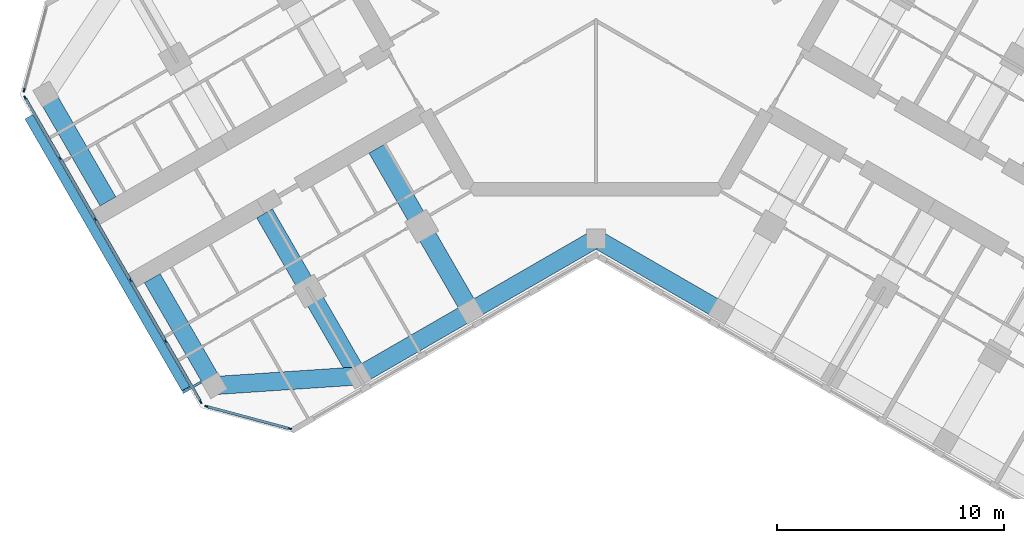
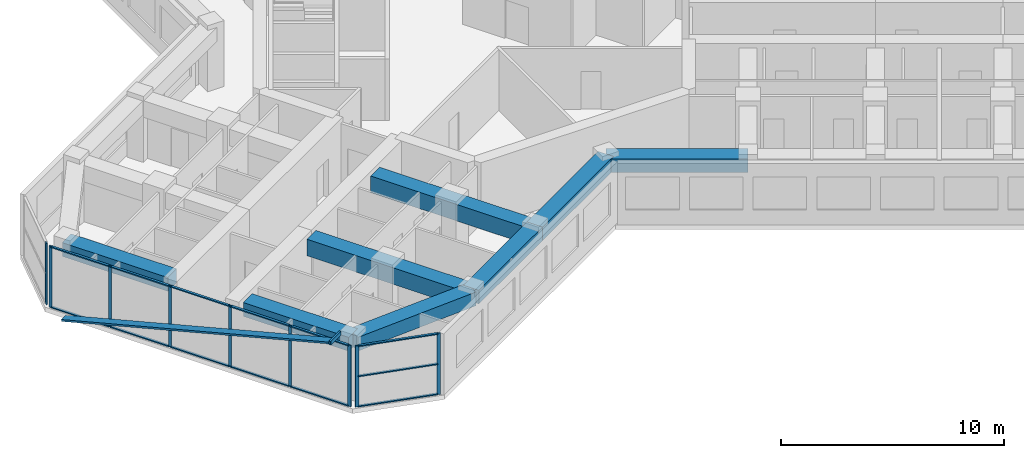
# One storey, part 2 of 16: 24 members, 8 beams, 3 elements without a shape of their own.
"""IFC4 building model written with IfcOpenShell, lengths in metres."""

from ifc_helpers import new_model, si_unit, direction, frame, origin, origin_2d, place, context, subcontext, project, spatial, rectangle, hollow_rectangle, extrude, material, material_profile, profile_set, type_object, element, aggregate, save


model = new_model("IFC4")

# Units and contexts
model_context = context("Model", 3, precision=1e-05, world=origin(), true_north=direction((0.0, 1.0)))
body_context = subcontext(model_context, "Body", "Model", "MODEL_VIEW")
ifc_project = project(units=[si_unit("LENGTHUNIT", "METRE"), si_unit("AREAUNIT", "SQUARE_METRE"), si_unit("VOLUMEUNIT", "CUBIC_METRE"), si_unit("PLANEANGLEUNIT", "RADIAN"), si_unit("MASSUNIT", "GRAM", prefix="KILO")], contexts=[model_context])

# Site, building, storey
site_placement = place(None, origin())
site = spatial("IfcSite", under=ifc_project, at=site_placement, CompositionType="ELEMENT")
building_placement = place(site_placement, origin())
building = spatial("IfcBuilding", under=site, at=building_placement, Name="Kosmar Iwan School Tower", CompositionType="ELEMENT")
storey_placement = place(building_placement, frame((0.0, 0.0, 231.60009765625)))
storey = spatial("IfcBuildingStorey", under=building, at=storey_placement, Name="L58", CompositionType="ELEMENT", Elevation=231.60009765625)

# Members
ifc_material_1 = material(Name="Black anodised aluminium", Category="aluminium")
ifc_material_profile_1 = material_profile(ifc_material_1, rectangle(XDim=0.10009765625, YDim=0.39990234375, at=origin_2d()), Name="FIN 100x400")
ifc_profile_set_1 = profile_set([ifc_material_profile_1], Name="Black anodised aluminium")
member_type_1 = type_object("IfcMemberType", Name="Diagonal fin 100x400", PredefinedType="USERDEFINED", material=ifc_profile_set_1)
member_1_placement = place(storey_placement, frame((-24.926513671875, -6.426025390625, -0.150146484375), z_axis=(0.483800388566, -0.837965217343, 0.2524905514), x_axis=(-0.126245460598, 0.218663124976, 0.96759935999)))
element("IfcMember", 1, at=member_1_placement, inside=storey, type_object=member_type_1, Name="Diagonal fin L58-F11", ObjectType="FIN", PredefinedType="USERDEFINED", context=body_context, shape_type="SweptSolid", body=[
    extrude(rectangle(XDim=0.10009765625, YDim=0.39990234375, at=origin_2d()), origin(), (0.0, 0.0, 1.0), 14.25830078125),
])
ifc_material_2 = material(Name="Steel S355", Category="steel")
ifc_material_profile_2 = material_profile(ifc_material_2, hollow_rectangle(XDim=0.10009765625, YDim=0.199951171875, WallThickness=0.008056640625, at=origin_2d()), Name="RHS 200x100x8")
ifc_profile_set_2 = profile_set([ifc_material_profile_2], Name="Steel S355")
member_type_2 = type_object("IfcMemberType", Name="Fin bracket RHS 200x100", PredefinedType="USERDEFINED", material=ifc_profile_set_2)
member_2_placement = place(storey_placement, frame((-17.362060546875, -18.078125, 3.474853515625), z_axis=(-0.866058118026, -0.49994333299, 0.0), x_axis=(0.49994333299, -0.866058118026, 0.0)))
element("IfcMember", 2, at=member_2_placement, inside=storey, type_object=member_type_2, Name="Fin bracket L59", ObjectType="FIN BRACKET", PredefinedType="USERDEFINED", context=body_context, shape_type="SweptSolid", body=[
    extrude(hollow_rectangle(XDim=0.10009765625, YDim=0.199951171875, WallThickness=0.008056640625, at=origin_2d()), origin(), (0.0, 0.0, 1.0), 0.9248046875),
])

# Curtain wall, member
ifc_material_3 = material(Name="Dark glass in black aluminium frame", Category="aluminium")
curtain_wall_type_1 = type_object("IfcCurtainWallType", Name="Chamfer curtain wall dark glass", PredefinedType="USERDEFINED", material=ifc_material_3)
curtain_wall_1_placement = place(storey_placement, origin())
curtain_wall_1 = element("IfcCurtainWall", 3, at=curtain_wall_1_placement, inside=storey, type_object=curtain_wall_type_1, Name="Curtain wall L58-F10", ObjectType="FACETED CURTAIN WALL", PredefinedType="USERDEFINED")
ifc_material_4 = material(Name="Black anodised aluminium", Category="aluminium")
ifc_material_profile_3 = material_profile(ifc_material_4, rectangle(XDim=0.06005859375, YDim=0.159912109375, at=origin_2d()), Name="MULLION 60x160")
ifc_profile_set_3 = profile_set([ifc_material_profile_3], Name="Black anodised aluminium")
member_type_3 = type_object("IfcMemberType", Name="Mullion 60x160", PredefinedType="MULLION", material=ifc_profile_set_3)
member_3_placement = place(storey_placement, frame((-25.141845703125, -5.24853515625, 0.0), z_axis=(0.0, 0.0, 1.0), x_axis=(0.965925875495, -0.258818861462, 0.0)))
member_3 = element("IfcMember", 4, at=member_3_placement, type_object=member_type_3, Name="CW2 mullion 2", PredefinedType="MULLION", context=body_context, shape_type="SweptSolid", body=[
    extrude(rectangle(XDim=0.06005859375, YDim=0.159912109375, at=origin_2d()), origin(), (0.0, 0.0, 1.0), 3.349853515625),
])
aggregate(curtain_wall_1, [member_3])

# Curtain wall, members
ifc_material_5 = material(Name="Dark glass in black aluminium frame", Category="aluminium")
curtain_wall_type_2 = type_object("IfcCurtainWallType", Name="Tower curtain wall dark glass", PredefinedType="USERDEFINED", material=ifc_material_5)
curtain_wall_2_placement = place(storey_placement, origin())
curtain_wall_2 = element("IfcCurtainWall", 5, at=curtain_wall_2_placement, inside=storey, type_object=curtain_wall_type_2, Name="Curtain wall L58-F11", ObjectType="UNITISED CURTAIN WALL", PredefinedType="USERDEFINED")
member_4_placement = place(storey_placement, frame((-25.098388671875, -5.578369140625, 0.0), z_axis=(0.0, 0.0, 1.0), x_axis=(0.866025405329, 0.499999997325, 0.0)))
member_4 = element("IfcMember", 6, at=member_4_placement, type_object=member_type_3, Name="CW1 mullion 1", PredefinedType="MULLION", context=body_context, shape_type="SweptSolid", body=[
    extrude(rectangle(XDim=0.06005859375, YDim=0.159912109375, at=origin_2d()), origin(), (0.0, 0.0, 1.0), 3.349853515625),
])
member_5_placement = place(storey_placement, frame((-23.563720703125, -8.236328125, 0.0), z_axis=(0.0, 0.0, 1.0), x_axis=(0.866025405329, 0.499999997325, 0.0)))
member_5 = element("IfcMember", 7, at=member_5_placement, type_object=member_type_3, Name="CW1 mullion 2", PredefinedType="MULLION", context=body_context, shape_type="SweptSolid", body=[
    extrude(rectangle(XDim=0.06005859375, YDim=0.159912109375, at=origin_2d()), origin(), (0.0, 0.0, 1.0), 3.349853515625),
])
member_6_placement = place(storey_placement, frame((-22.01416015625, -10.92041015625, 0.0), z_axis=(0.0, 0.0, 1.0), x_axis=(0.866025405329, 0.499999997325, 0.0)))
member_6 = element("IfcMember", 8, at=member_6_placement, type_object=member_type_3, Name="CW1 mullion 3", PredefinedType="MULLION", context=body_context, shape_type="SweptSolid", body=[
    extrude(rectangle(XDim=0.06005859375, YDim=0.159912109375, at=origin_2d()), origin(), (0.0, 0.0, 1.0), 3.349853515625),
])
member_7_placement = place(storey_placement, frame((-20.46435546875, -13.6044921875, 0.0), z_axis=(0.0, 0.0, 1.0), x_axis=(0.866025405329, 0.499999997325, 0.0)))
member_7 = element("IfcMember", 9, at=member_7_placement, type_object=member_type_3, Name="CW1 mullion 4", PredefinedType="MULLION", context=body_context, shape_type="SweptSolid", body=[
    extrude(rectangle(XDim=0.06005859375, YDim=0.159912109375, at=origin_2d()), origin(), (0.0, 0.0, 1.0), 3.349853515625),
])
member_8_placement = place(storey_placement, frame((-18.914794921875, -16.28857421875, 0.0), z_axis=(0.0, 0.0, 1.0), x_axis=(0.866025405329, 0.499999997325, 0.0)))
member_8 = element("IfcMember", 10, at=member_8_placement, type_object=member_type_3, Name="CW1 mullion 5", PredefinedType="MULLION", context=body_context, shape_type="SweptSolid", body=[
    extrude(rectangle(XDim=0.06005859375, YDim=0.159912109375, at=origin_2d()), origin(), (0.0, 0.0, 1.0), 3.349853515625),
])
member_9_placement = place(storey_placement, frame((-17.380126953125, -18.94677734375, 0.0), z_axis=(0.0, 0.0, 1.0), x_axis=(0.866025405329, 0.499999997325, 0.0)))
member_9 = element("IfcMember", 11, at=member_9_placement, type_object=member_type_3, Name="CW1 mullion 6", PredefinedType="MULLION", context=body_context, shape_type="SweptSolid", body=[
    extrude(rectangle(XDim=0.06005859375, YDim=0.159912109375, at=origin_2d()), origin(), (0.0, 0.0, 1.0), 3.349853515625),
])

curtain_wall_3_placement = place(storey_placement, origin())
curtain_wall_3 = element("IfcCurtainWall", 12, at=curtain_wall_3_placement, inside=storey, type_object=curtain_wall_type_1, Name="Curtain wall L58-F12", ObjectType="FACETED CURTAIN WALL", PredefinedType="USERDEFINED")
member_10_placement = place(storey_placement, frame((-17.1162109375, -19.149169921875, 0.0), z_axis=(0.0, 0.0, 1.0), x_axis=(0.258818861462, 0.965925875495, 0.0)))
member_10 = element("IfcMember", 13, at=member_10_placement, type_object=member_type_3, Name="CW2 mullion 1", PredefinedType="MULLION", context=body_context, shape_type="SweptSolid", body=[
    extrude(rectangle(XDim=0.06005859375, YDim=0.159912109375, at=origin_2d()), origin(), (0.0, 0.0, 1.0), 3.349853515625),
])
member_11_placement = place(storey_placement, frame((-13.466064453125, -20.127197265625, 0.0), z_axis=(0.0, 0.0, 1.0), x_axis=(0.258818861462, 0.965925875495, 0.0)))
member_11 = element("IfcMember", 14, at=member_11_placement, type_object=member_type_3, Name="CW2 mullion 2", PredefinedType="MULLION", context=body_context, shape_type="SweptSolid", body=[
    extrude(rectangle(XDim=0.06005859375, YDim=0.159912109375, at=origin_2d()), origin(), (0.0, 0.0, 1.0), 3.349853515625),
])

# Beams
ifc_material_6 = material(Name="Concrete C50/60", Category="concrete")
ifc_material_profile_4 = material_profile(ifc_material_6, rectangle(XDim=0.800048828125, YDim=0.75, at=origin_2d()), Name="RC 800x750")
ifc_profile_set_4 = profile_set([ifc_material_profile_4], Name="Concrete C50/60")
beam_type_1 = type_object("IfcBeamType", Name="RC edge beam 800x750", PredefinedType="BEAM", material=ifc_profile_set_4)
beam_1_placement = place(storey_placement, frame((0.0, -11.77783203125, 2.974853515625), z_axis=(-0.866014293216, -0.500019243575, 0.0), x_axis=(0.500019243575, -0.866014293216, 0.0)))
element("IfcBeam", 15, at=beam_1_placement, inside=storey, type_object=beam_type_1, Name="Edge beam BL1", PredefinedType="BEAM", context=body_context, shape_type="SweptSolid", body=[
    extrude(rectangle(XDim=0.800048828125, YDim=0.75, at=origin_2d()), origin(), (0.0, 0.0, 1.0), 6.361083984375),
])
beam_2_placement = place(storey_placement, frame((-5.5087890625, -14.95849609375, 2.974853515625), z_axis=(-0.866033658841, -0.49998570155, 0.0), x_axis=(0.49998570155, -0.866033658841, 0.0)))
element("IfcBeam", 16, at=beam_2_placement, inside=storey, type_object=beam_type_1, Name="Edge beam BL2", PredefinedType="BEAM", context=body_context, shape_type="SweptSolid", body=[
    extrude(rectangle(XDim=0.800048828125, YDim=0.75, at=origin_2d()), origin(), (0.0, 0.0, 1.0), 5.699951171875),
])
beam_3_placement = place(storey_placement, frame((0.0, -11.77783203125, 2.974853515625), z_axis=(0.866014293216, -0.500019243575, 0.0), x_axis=(0.500019243575, 0.866014293216, 0.0)))
element("IfcBeam", 17, at=beam_3_placement, inside=storey, type_object=beam_type_1, Name="Edge beam CR1", PredefinedType="BEAM", context=body_context, shape_type="SweptSolid", body=[
    extrude(rectangle(XDim=0.800048828125, YDim=0.75, at=origin_2d()), origin(), (0.0, 0.0, 1.0), 6.361083984375),
])
ifc_material_7 = material(Name="Concrete C50/60", Category="concrete")
ifc_material_profile_5 = material_profile(ifc_material_7, rectangle(XDim=0.800048828125, YDim=0.75, at=origin_2d()), Name="RC 800x750")
ifc_profile_set_5 = profile_set([ifc_material_profile_5], Name="Concrete C50/60")
beam_type_2 = type_object("IfcBeamType", Name="RC tip beam 800x750", PredefinedType="BEAM", material=ifc_profile_set_5)
beam_4_placement = place(storey_placement, frame((-10.445068359375, -17.808349609375, 2.974853515625), z_axis=(-0.997755118724, -0.066968074933, 0.0), x_axis=(0.066968074933, -0.997755118724, 0.0)))
element("IfcBeam", 18, at=beam_4_placement, inside=storey, type_object=beam_type_2, Name="Tip beam BL", PredefinedType="BEAM", context=body_context, shape_type="SweptSolid", body=[
    extrude(rectangle(XDim=0.800048828125, YDim=0.75, at=origin_2d()), origin(), (0.0, 0.0, 1.0), 6.3505859375),
])
beam_5_placement = place(storey_placement, frame((-16.781494140625, -18.233642578125, 2.974853515625), z_axis=(-0.500002931134, 0.866023711487, 0.0), x_axis=(-0.866023711487, -0.500002931134, 0.0)))
element("IfcBeam", 19, at=beam_5_placement, inside=storey, type_object=beam_type_2, Name="Tip beam BL to corridor wall", PredefinedType="BEAM", context=body_context, shape_type="SweptSolid", body=[
    extrude(rectangle(XDim=0.800048828125, YDim=0.75, at=origin_2d()), origin(), (0.0, 0.0, 1.0), 5.4501953125),
])
beam_6_placement = place(storey_placement, frame((-24.181396484375, -5.41650390625, 2.974853515625), z_axis=(0.499988730927, -0.866031909889, 0.0), x_axis=(0.866031909889, 0.499988730927, 0.0)))
element("IfcBeam", 20, at=beam_6_placement, inside=storey, type_object=beam_type_2, Name="Tip beam BR to corridor wall", PredefinedType="BEAM", context=body_context, shape_type="SweptSolid", body=[
    extrude(rectangle(XDim=0.800048828125, YDim=0.75, at=origin_2d()), origin(), (0.0, 0.0, 1.0), 5.449951171875),
])
ifc_material_8 = material(Name="Concrete C50/60", Category="concrete")
ifc_material_profile_6 = material_profile(ifc_material_8, rectangle(XDim=0.800048828125, YDim=0.89990234375, at=origin_2d()), Name="RC 800x900")
ifc_profile_set_6 = profile_set([ifc_material_profile_6], Name="Concrete C50/60")
beam_type_3 = type_object("IfcBeamType", Name="RC transverse beam 800x900", PredefinedType="BEAM", material=ifc_profile_set_6)
beam_7_placement = place(storey_placement, frame((-5.5087890625, -14.95849609375, 2.89990234375), z_axis=(-0.499996545922, 0.866027397988, 0.0), x_axis=(-0.866027397988, -0.499996545922, 0.0)))
element("IfcBeam", 21, at=beam_7_placement, inside=storey, type_object=beam_type_3, Name="Transverse beam BL1", PredefinedType="BEAM", context=body_context, shape_type="SweptSolid", body=[
    extrude(rectangle(XDim=0.800048828125, YDim=0.89990234375, at=origin_2d()), origin(), (0.0, 0.0, 1.0), 8.25),
])
beam_8_placement = place(storey_placement, frame((-10.445068359375, -17.808349609375, 2.89990234375), z_axis=(-0.500009360108, 0.866019999656, 0.0), x_axis=(-0.866019999656, -0.500009360108, 0.0)))
element("IfcBeam", 22, at=beam_8_placement, inside=storey, type_object=beam_type_3, Name="Transverse beam BL2", PredefinedType="BEAM", context=body_context, shape_type="SweptSolid", body=[
    extrude(rectangle(XDim=0.800048828125, YDim=0.89990234375, at=origin_2d()), origin(), (0.0, 0.0, 1.0), 8.249755859375),
])

# Member
ifc_material_9 = material(Name="Black anodised aluminium", Category="aluminium")
ifc_material_profile_7 = material_profile(ifc_material_9, rectangle(XDim=0.1201171875, YDim=0.06005859375, at=origin_2d()), Name="TRANSOM 60x120")
ifc_profile_set_7 = profile_set([ifc_material_profile_7], Name="Black anodised aluminium")
member_type_4 = type_object("IfcMemberType", Name="Transom 60x120", PredefinedType="USERDEFINED", material=ifc_profile_set_7)
member_12_placement = place(storey_placement, frame((-25.08349609375, -5.604248046875, 0.02978515625), z_axis=(0.499986971506, -0.866032925658, 0.0), x_axis=(0.866032925658, 0.499986971506, 0.0)))
member_12 = element("IfcMember", 23, at=member_12_placement, type_object=member_type_4, Name="CW1 transom 1.1", ObjectType="TRANSOM", PredefinedType="USERDEFINED", context=body_context, shape_type="SweptSolid", body=[
    extrude(rectangle(XDim=0.1201171875, YDim=0.06005859375, at=origin_2d()), origin(), (0.0, 0.0, 1.0), 3.00927734375),
])

member_13_placement = place(storey_placement, frame((-25.08349609375, -5.604248046875, 3.31982421875), z_axis=(0.499986971506, -0.866032925658, 0.0), x_axis=(0.866032925658, 0.499986971506, 0.0)))
member_13 = element("IfcMember", 24, at=member_13_placement, type_object=member_type_4, Name="CW1 transom 1.2", ObjectType="TRANSOM", PredefinedType="USERDEFINED", context=body_context, shape_type="SweptSolid", body=[
    extrude(rectangle(XDim=0.1201171875, YDim=0.06005859375, at=origin_2d()), origin(), (0.0, 0.0, 1.0), 3.00927734375),
])

member_14_placement = place(storey_placement, frame((-23.548828125, -8.262451171875, 0.02978515625), z_axis=(0.500035348339, -0.866004994449, 0.0), x_axis=(0.866004994449, 0.500035348339, 0.0)))
member_14 = element("IfcMember", 25, at=member_14_placement, type_object=member_type_4, Name="CW1 transom 2.1", ObjectType="TRANSOM", PredefinedType="USERDEFINED", context=body_context, shape_type="SweptSolid", body=[
    extrude(rectangle(XDim=0.1201171875, YDim=0.06005859375, at=origin_2d()), origin(), (0.0, 0.0, 1.0), 3.039306640625),
])

member_15_placement = place(storey_placement, frame((-23.548828125, -8.262451171875, 3.31982421875), z_axis=(0.500035348339, -0.866004994449, 0.0), x_axis=(0.866004994449, 0.500035348339, 0.0)))
member_15 = element("IfcMember", 26, at=member_15_placement, type_object=member_type_4, Name="CW1 transom 2.2", ObjectType="TRANSOM", PredefinedType="USERDEFINED", context=body_context, shape_type="SweptSolid", body=[
    extrude(rectangle(XDim=0.1201171875, YDim=0.06005859375, at=origin_2d()), origin(), (0.0, 0.0, 1.0), 3.039306640625),
])

member_16_placement = place(storey_placement, frame((-21.9990234375, -10.946533203125, 0.02978515625), z_axis=(0.499975102327, -0.866039777986, 0.0), x_axis=(0.866039777986, 0.499975102327, 0.0)))
member_16 = element("IfcMember", 27, at=member_16_placement, type_object=member_type_4, Name="CW1 transom 3.1", ObjectType="TRANSOM", PredefinedType="USERDEFINED", context=body_context, shape_type="SweptSolid", body=[
    extrude(rectangle(XDim=0.1201171875, YDim=0.06005859375, at=origin_2d()), origin(), (0.0, 0.0, 1.0), 3.039306640625),
])

member_17_placement = place(storey_placement, frame((-21.9990234375, -10.946533203125, 3.31982421875), z_axis=(0.499975102327, -0.866039777986, 0.0), x_axis=(0.866039777986, 0.499975102327, 0.0)))
member_17 = element("IfcMember", 28, at=member_17_placement, type_object=member_type_4, Name="CW1 transom 3.2", ObjectType="TRANSOM", PredefinedType="USERDEFINED", context=body_context, shape_type="SweptSolid", body=[
    extrude(rectangle(XDim=0.1201171875, YDim=0.06005859375, at=origin_2d()), origin(), (0.0, 0.0, 1.0), 3.039306640625),
])

member_18_placement = place(storey_placement, frame((-20.449462890625, -13.630615234375, 0.02978515625), z_axis=(0.500035348339, -0.866004994449, 0.0), x_axis=(0.866004994449, 0.500035348339, 0.0)))
member_18 = element("IfcMember", 29, at=member_18_placement, type_object=member_type_4, Name="CW1 transom 4.1", ObjectType="TRANSOM", PredefinedType="USERDEFINED", context=body_context, shape_type="SweptSolid", body=[
    extrude(rectangle(XDim=0.1201171875, YDim=0.06005859375, at=origin_2d()), origin(), (0.0, 0.0, 1.0), 3.039306640625),
])

member_19_placement = place(storey_placement, frame((-20.449462890625, -13.630615234375, 3.31982421875), z_axis=(0.500035348339, -0.866004994449, 0.0), x_axis=(0.866004994449, 0.500035348339, 0.0)))
member_19 = element("IfcMember", 30, at=member_19_placement, type_object=member_type_4, Name="CW1 transom 4.2", ObjectType="TRANSOM", PredefinedType="USERDEFINED", context=body_context, shape_type="SweptSolid", body=[
    extrude(rectangle(XDim=0.1201171875, YDim=0.06005859375, at=origin_2d()), origin(), (0.0, 0.0, 1.0), 3.039306640625),
])

member_20_placement = place(storey_placement, frame((-18.89990234375, -16.314697265625, 0.02978515625), z_axis=(0.500022102064, -0.866012642776, 0.0), x_axis=(0.866012642776, 0.500022102064, 0.0)))
member_20 = element("IfcMember", 31, at=member_20_placement, type_object=member_type_4, Name="CW1 transom 5.1", ObjectType="TRANSOM", PredefinedType="USERDEFINED", context=body_context, shape_type="SweptSolid", body=[
    extrude(rectangle(XDim=0.1201171875, YDim=0.06005859375, at=origin_2d()), origin(), (0.0, 0.0, 1.0), 3.009033203125),
])

member_21_placement = place(storey_placement, frame((-18.89990234375, -16.314697265625, 3.31982421875), z_axis=(0.500022102064, -0.866012642776, 0.0), x_axis=(0.866012642776, 0.500022102064, 0.0)))
member_21 = element("IfcMember", 32, at=member_21_placement, type_object=member_type_4, Name="CW1 transom 5.2", ObjectType="TRANSOM", PredefinedType="USERDEFINED", context=body_context, shape_type="SweptSolid", body=[
    extrude(rectangle(XDim=0.1201171875, YDim=0.06005859375, at=origin_2d()), origin(), (0.0, 0.0, 1.0), 3.009033203125),
])

aggregate(curtain_wall_2, [member_4, member_5, member_6, member_7, member_8, member_9, member_12, member_13, member_14, member_15, member_16, member_17, member_18, member_19, member_20, member_21])

member_22_placement = place(storey_placement, frame((-17.08740234375, -19.156982421875, 0.02978515625), z_axis=(0.965940141052, -0.258765615768, 0.0), x_axis=(0.258765615768, 0.965940141052, 0.0)))
member_22 = element("IfcMember", 33, at=member_22_placement, type_object=member_type_4, Name="CW2 transom 1.1", ObjectType="TRANSOM", PredefinedType="USERDEFINED", context=body_context, shape_type="SweptSolid", body=[
    extrude(rectangle(XDim=0.1201171875, YDim=0.06005859375, at=origin_2d()), origin(), (0.0, 0.0, 1.0), 3.71923828125),
])

member_23_placement = place(storey_placement, frame((-17.08740234375, -19.156982421875, 1.6748046875), z_axis=(0.965940141052, -0.258765615768, 0.0), x_axis=(0.258765615768, 0.965940141052, 0.0)))
member_23 = element("IfcMember", 34, at=member_23_placement, type_object=member_type_4, Name="CW2 transom 1.2", ObjectType="TRANSOM", PredefinedType="USERDEFINED", context=body_context, shape_type="SweptSolid", body=[
    extrude(rectangle(XDim=0.1201171875, YDim=0.06005859375, at=origin_2d()), origin(), (0.0, 0.0, 1.0), 3.71923828125),
])

member_24_placement = place(storey_placement, frame((-17.08740234375, -19.156982421875, 3.31982421875), z_axis=(0.965940141052, -0.258765615768, 0.0), x_axis=(0.258765615768, 0.965940141052, 0.0)))
member_24 = element("IfcMember", 35, at=member_24_placement, type_object=member_type_4, Name="CW2 transom 1.3", ObjectType="TRANSOM", PredefinedType="USERDEFINED", context=body_context, shape_type="SweptSolid", body=[
    extrude(rectangle(XDim=0.1201171875, YDim=0.06005859375, at=origin_2d()), origin(), (0.0, 0.0, 1.0), 3.71923828125),
])

aggregate(curtain_wall_3, [member_10, member_11, member_22, member_23, member_24])

save(model, "model.ifc")
